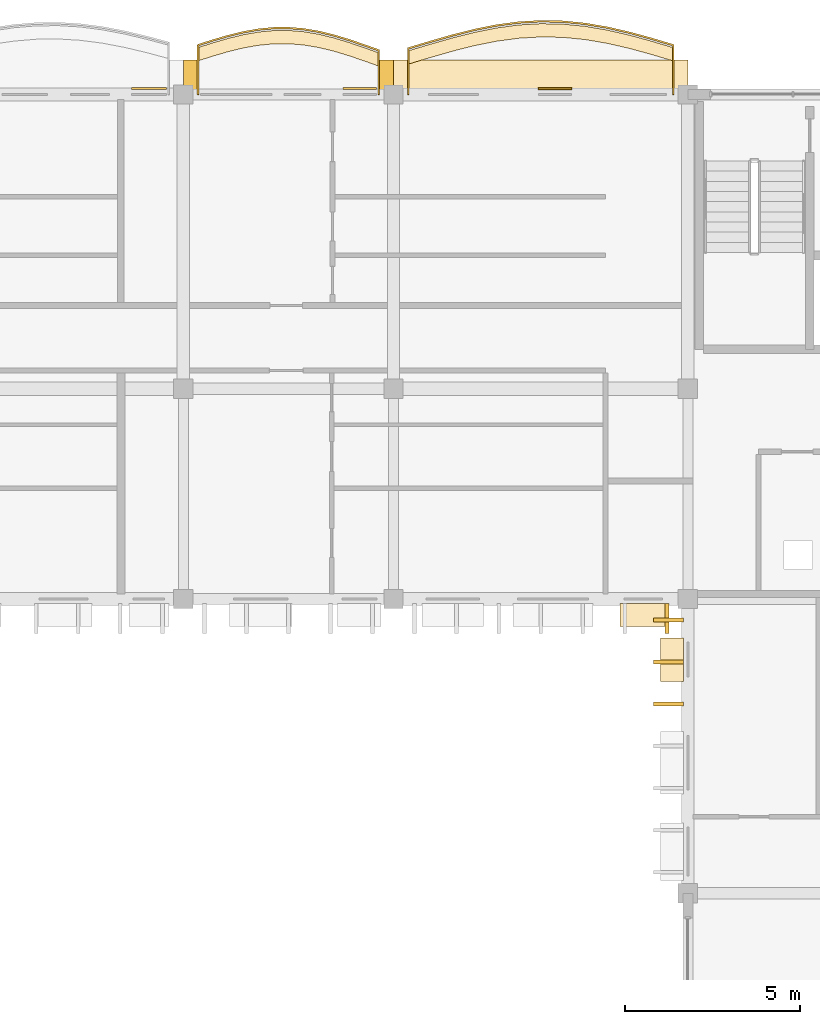
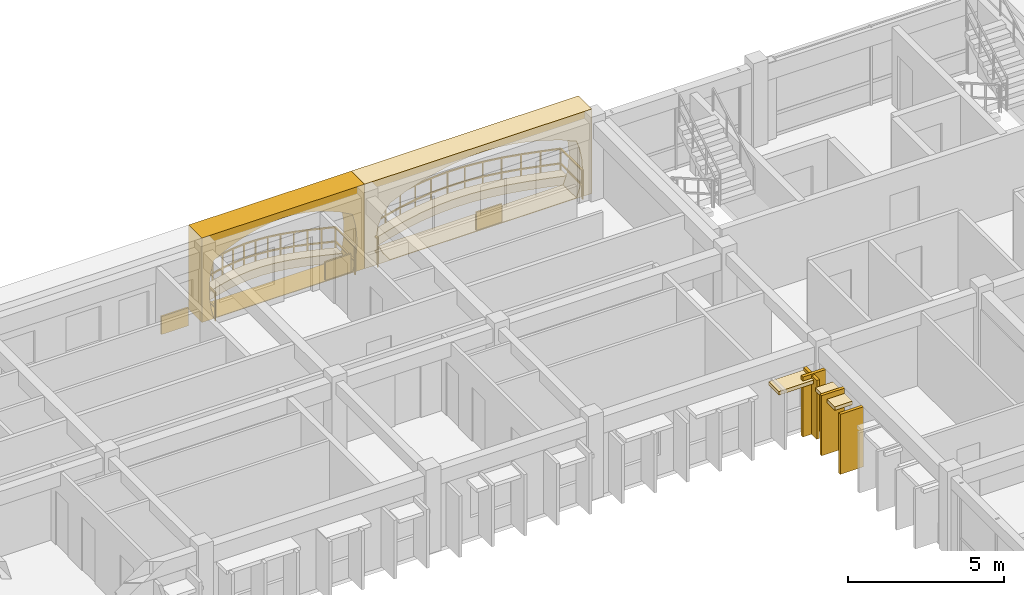
# One storey, part 67 of 68: 13 coverings, 2 railings.
"""IFC4 building model written with IfcOpenShell, lengths in metres."""

from ifc_helpers import new_model, si_unit, direction, frame, origin, origin_2d, place, context, subcontext, project, spatial, polyline, rectangle, outline, extrude, material, layer, layer_set, type_object, element, save


model = new_model("IFC4")

# Units and contexts
model_context = context("Model", 3, precision=1e-05, world=origin(), true_north=direction((0.0, 1.0)))
body_context = subcontext(model_context, "Body", "Model", "MODEL_VIEW")
ifc_project = project(units=[si_unit("LENGTHUNIT", "METRE"), si_unit("AREAUNIT", "SQUARE_METRE"), si_unit("VOLUMEUNIT", "CUBIC_METRE"), si_unit("PLANEANGLEUNIT", "RADIAN"), si_unit("MASSUNIT", "GRAM", prefix="KILO"), si_unit("THERMODYNAMICTEMPERATUREUNIT", "KELVIN")], contexts=[model_context])

# Site, building, storey
site_placement = place(None, origin())
site = spatial("IfcSite", under=ifc_project, at=site_placement, CompositionType="ELEMENT")
building_placement = place(site_placement, origin())
building = spatial("IfcBuilding", under=site, at=building_placement, Name="Thalorik Housing Commons", CompositionType="ELEMENT")
storey_placement = place(building_placement, frame((0.0, 0.0, 24.60009765625)))
storey = spatial("IfcBuildingStorey", under=building, at=storey_placement, Name="L07", CompositionType="ELEMENT", Elevation=24.60009765625)

# Coverings
ifc_material_1 = material(Name="Cobalt blue glazed ceramic facade tile panel", Category="masonry")
ifc_layer_1 = layer(ifc_material_1, 0.06005859375, Name="Cobalt blue glazed ceramic facade tile panel", Category="masonry")
ifc_layer_set_1 = layer_set([ifc_layer_1], Name="Cobalt blue glazed ceramic facade tile panel")
covering_type_1 = type_object("IfcCoveringType", Name="ARC-CLD-BLU-60", PredefinedType="CLADDING", material=ifc_layer_set_1)
covering_1_placement = place(storey_placement, frame((143.0341796875, 123.764892578125, 0.0498046875), z_axis=(0.0, 0.0, 1.0), x_axis=(-1.0, 0.0, 0.0)))
element("IfcCovering", 1, at=covering_1_placement, inside=storey, type_object=covering_type_1, Name="L07 De Stijl Recessed Window Spandrel 2562", PredefinedType="CLADDING", context=body_context, shape_type="SweptSolid", body=[
    extrude(rectangle(XDim=0.949951171875, YDim=0.06005859375, at=origin_2d()), origin(), (0.0, 0.0, 1.0), 0.699951171875),
])
ifc_material_2 = material(Name="Precast concrete C40/50", Category="concrete")
ifc_layer_2 = layer(ifc_material_2, 0.85009765625, Name="Precast concrete C40/50", Category="concrete")
ifc_layer_set_2 = layer_set([ifc_layer_2], Name="Precast concrete C40/50")
covering_type_2 = type_object("IfcCoveringType", Name="ARC-CLD-CUSH-850", PredefinedType="CLADDING", material=ifc_layer_set_2)
covering_2_placement = place(storey_placement, frame((148.199951171875, 124.155029296875, 0.0), z_axis=(0.0, 0.0, 1.0), x_axis=(-1.0, 0.0, 0.0)))
element("IfcCovering", 2, at=covering_2_placement, inside=storey, type_object=covering_type_2, Name="L07 White Precast Curved Cushion Bay Frame 2559", PredefinedType="CLADDING", context=body_context, shape_type="SweptSolid", body=[
    extrude(outline(polyline([(-4.199951171875, 0.0), (4.199951171875, 0.0), (4.199951171875, 3.300048828125), (-4.199951171875, 3.300048828125), (-4.199951171875, 0.0)]), holes=[polyline([(3.25, 0.02490234375), (3.52783203125, 0.394287109375), (3.6943359375, 0.76318359375), (3.75, 1.132568359375), (3.6943359375, 1.501708984375), (3.52783203125, 1.870849609375), (3.25, 2.239990234375), (2.6767578125, 2.4833984375), (2.103271484375, 2.6748046875), (1.530029296875, 2.82958984375), (0.956787109375, 2.94482421875), (0.38330078125, 3.01611328125), (-0.18994140625, 3.0400390625), (-0.76318359375, 3.01611328125), (-1.336669921875, 2.94482421875), (-1.909912109375, 2.82958984375), (-2.4833984375, 2.6748046875), (-3.056640625, 2.4833984375), (-3.6298828125, 2.239990234375), (-3.750244140625, 1.870849609375), (-3.822509765625, 1.501708984375), (-3.8466796875, 1.132568359375), (-3.822509765625, 0.76318359375), (-3.750244140625, 0.394287109375), (-3.6298828125, 0.02490234375), (3.25, 0.02490234375)])]), frame((0.0, 0.425048828125, 0.0), z_axis=(0.0, -1.0, 0.0), x_axis=(1.0, 0.0, 0.0)), (0.0, 0.0, 1.0), 0.85009765625),
])
covering_3_placement = place(storey_placement, frame((141.0, 124.155029296875, 0.0), z_axis=(0.0, 0.0, 1.0), x_axis=(-1.0, 0.0, 0.0)))
element("IfcCovering", 3, at=covering_3_placement, inside=storey, type_object=covering_type_2, Name="L07 White Precast Curved Cushion Bay Frame 2561", PredefinedType="CLADDING", context=body_context, shape_type="SweptSolid", body=[
    extrude(outline(polyline([(-3.0, 0.0), (3.0, 0.0), (3.0, 3.300048828125), (-3.0, 3.300048828125), (-3.0, 0.0)]), holes=[polyline([(2.560791015625, 0.02490234375), (2.653564453125, 0.40087890625), (2.709228515625, 0.776611328125), (2.727783203125, 1.152587890625), (2.709228515625, 1.5283203125), (2.653564453125, 1.904296875), (2.560791015625, 2.280029296875), (2.134033203125, 2.51123046875), (1.70751953125, 2.693115234375), (1.28076171875, 2.840087890625), (0.85400390625, 2.94970703125), (0.427490234375, 3.01708984375), (0.000732421875, 3.0400390625), (-0.42578125, 3.01708984375), (-0.8525390625, 2.94970703125), (-1.279296875, 2.840087890625), (-1.705810546875, 2.693115234375), (-2.132568359375, 2.51123046875), (-2.55908203125, 2.280029296875), (-2.65234375, 1.904296875), (-2.7080078125, 1.5283203125), (-2.726806640625, 1.152587890625), (-2.7080078125, 0.776611328125), (-2.65234375, 0.40087890625), (-2.55908203125, 0.02490234375), (2.560791015625, 0.02490234375)])]), frame((0.0, 0.425048828125, 0.0), z_axis=(0.0, -1.0, 0.0), x_axis=(1.0, 0.0, 0.0)), (0.0, 0.0, 1.0), 0.85009765625),
])
ifc_layer_3 = layer(ifc_material_2, 0.85009765625, Name="Precast concrete C40/50", Category="concrete")
ifc_layer_set_3 = layer_set([ifc_layer_3], Name="Precast concrete C40/50")
covering_type_3 = type_object("IfcCoveringType", Name="ARC-CLD-FIN-850", PredefinedType="CLADDING", material=ifc_layer_set_3)
covering_4_placement = place(storey_placement, frame((151.800048828125, 108.64501953125, 0.0400390625), z_axis=(0.0, 0.0, 1.0), x_axis=(1.0, 0.0, 0.0)))
element("IfcCovering", 4, at=covering_4_placement, inside=storey, type_object=covering_type_3, Name="L07 Courtyard Precast Vertical Brise-Soleil Fin 2658", PredefinedType="CLADDING", context=body_context, shape_type="SweptSolid", body=[
    extrude(rectangle(XDim=0.110107421875, YDim=0.85009765625, at=origin_2d()), origin(), (0.0, 0.0, 1.0), 2.294921875),
])
for number, where, z_axis, x_axis, name in (
    (5, (151.844970703125, 108.60009765625, 0.0400390625), (0.0, 0.0, 1.0), (0.0, -1.0, 0.0), "L07 Courtyard Precast Vertical Brise-Soleil Fin 2662"),
    (6, (151.844970703125, 107.39990234375, 0.0400390625), (0.0, 0.0, 1.0), (0.0, -1.0, 0.0), "L07 Courtyard Precast Vertical Brise-Soleil Fin 2663"),
    (7, (151.844970703125, 106.199951171875, 0.0400390625), (0.0, 0.0, 1.0), (0.0, -1.0, 0.0), "L07 Courtyard Precast Vertical Brise-Soleil Fin 2664"),
):
    element("IfcCovering", number, at=place(storey_placement, frame(where, z_axis=z_axis, x_axis=x_axis)), inside=storey, type_object=covering_type_3, Name=name, PredefinedType="CLADDING", context=body_context, shape_type="SweptSolid", body=[
        extrude(rectangle(XDim=0.110107421875, YDim=0.85009765625, at=origin_2d()), origin(), (0.0, 0.0, 1.0), 2.344970703125),
    ])
ifc_layer_4 = layer(ifc_material_2, 0.64990234375, Name="Precast concrete C40/50", Category="concrete")
ifc_layer_set_4 = layer_set([ifc_layer_4], Name="Precast concrete C40/50")
covering_type_4 = type_object("IfcCoveringType", Name="ARC-CLD-HOOD-650", PredefinedType="CLADDING", material=ifc_layer_set_4)
covering_5_placement = place(storey_placement, frame((151.1298828125, 108.7451171875, 2.08984375), z_axis=(0.0, 0.0, 1.0), x_axis=(1.0, 0.0, 0.0)))
element("IfcCovering", 8, at=covering_5_placement, inside=storey, type_object=covering_type_4, Name="L07 Courtyard Precast Window Sun-Hood 2661", PredefinedType="CLADDING", context=body_context, shape_type="SweptSolid", body=[
    extrude(rectangle(XDim=1.340087890625, YDim=0.64990234375, at=origin_2d()), origin(), (0.0, 0.0, 1.0), 0.139892578125),
])
covering_6_placement = place(storey_placement, frame((151.945068359375, 107.46875, 2.0400390625), z_axis=(0.0, 0.0, 1.0), x_axis=(0.0, -1.0, 0.0)))
element("IfcCovering", 9, at=covering_6_placement, inside=storey, type_object=covering_type_4, Name="L07 Courtyard Precast Window Sun-Hood 2669", PredefinedType="CLADDING", context=body_context, shape_type="SweptSolid", body=[
    extrude(rectangle(XDim=1.239990234375, YDim=0.64990234375, at=origin_2d()), origin(), (0.0, 0.0, 1.0), 0.139892578125),
])
ifc_material_3 = material(Name="Terracotta red mineral fibre-cement panel", Category="masonry")
ifc_layer_5 = layer(ifc_material_3, 0.054931640625, Name="Terracotta red mineral fibre-cement panel", Category="masonry")
ifc_layer_set_5 = layer_set([ifc_layer_5], Name="Terracotta red mineral fibre-cement panel")
covering_type_5 = type_object("IfcCoveringType", Name="ARC-CLD-RED-55", PredefinedType="CLADDING", material=ifc_layer_set_5)
covering_7_placement = place(storey_placement, frame((148.610107421875, 123.762451171875, 0.0498046875), z_axis=(0.0, 0.0, 1.0), x_axis=(-1.0, 0.0, 0.0)))
element("IfcCovering", 10, at=covering_7_placement, inside=storey, type_object=covering_type_5, Name="L07 De Stijl Recessed Window Spandrel 2560", PredefinedType="CLADDING", context=body_context, shape_type="SweptSolid", body=[
    extrude(rectangle(XDim=0.949951171875, YDim=0.054931640625, at=origin_2d()), origin(), (0.0, 0.0, 1.0), 0.699951171875),
])
ifc_material_4 = material(Name="Mineral ochre architectural terracotta panel", Category="masonry")
ifc_layer_6 = layer(ifc_material_4, 0.06494140625, Name="Mineral ochre architectural terracotta panel", Category="masonry")
ifc_layer_set_6 = layer_set([ifc_layer_6], Name="Mineral ochre architectural terracotta panel")
covering_type_6 = type_object("IfcCoveringType", Name="ARC-CLD-YEL-65", PredefinedType="CLADDING", material=ifc_layer_set_6)
covering_8_placement = place(storey_placement, frame((137.014892578125, 123.767578125, 0.0498046875), z_axis=(0.0, 0.0, 1.0), x_axis=(-1.0, 0.0, 0.0)))
element("IfcCovering", 11, at=covering_8_placement, inside=storey, type_object=covering_type_6, Name="L07 De Stijl Recessed Window Spandrel 2564", PredefinedType="CLADDING", context=body_context, shape_type="SweptSolid", body=[
    extrude(rectangle(XDim=1.0, YDim=0.06494140625, at=origin_2d()), origin(), (0.0, 0.0, 1.0), 0.699951171875),
])
ifc_material_5 = material(Name="Planted vegetated substrate and terracotta trough", Category="masonry")
ifc_layer_7 = layer(ifc_material_5, 0.340087890625, Name="Planted vegetated substrate and terracotta trough", Category="masonry")
ifc_layer_set_7 = layer_set([ifc_layer_7], Name="Planted vegetated substrate and terracotta trough")
covering_type_7 = type_object("IfcCoveringType", Name="ARC-COV-PLANTER", PredefinedType="USERDEFINED", material=ifc_layer_set_7)
covering_9_placement = place(storey_placement, origin())
element("IfcCovering", 12, at=covering_9_placement, inside=storey, type_object=covering_type_7, Name="L07 Balcony Slab-Edge Planted Trough 5510", ObjectType="PLANTER", PredefinedType="USERDEFINED", context=body_context, shape_type="SweptSolid", body=[
    extrude(outline(polyline([(143.580078125, 124.786865234375), (143.14990234375, 124.939697265625), (142.719970703125, 125.086181640625), (142.2900390625, 125.2158203125), (141.860107421875, 125.31982421875), (141.429931640625, 125.391845703125), (141.0, 125.427001953125), (140.570068359375, 125.423095703125), (140.139892578125, 125.381591796875), (139.7099609375, 125.305419921875), (139.280029296875, 125.20068359375), (138.85009765625, 125.075439453125), (138.419921875, 124.938720703125), (138.419921875, 124.55859375), (138.85009765625, 124.695556640625), (139.280029296875, 124.82080078125), (139.7099609375, 124.925537109375), (140.139892578125, 125.001708984375), (140.570068359375, 125.043212890625), (141.0, 125.046875), (141.429931640625, 125.01171875), (141.860107421875, 124.93994140625), (142.2900390625, 124.835693359375), (142.719970703125, 124.7060546875), (143.14990234375, 124.559814453125), (143.580078125, 124.40673828125), (143.580078125, 124.786865234375)])), origin(), (0.0, 0.0, 1.0), 0.33984375),
])
covering_10_placement = place(storey_placement, origin())
element("IfcCovering", 13, at=covering_10_placement, inside=storey, type_object=covering_type_7, Name="L07 Balcony Slab-Edge Planted Trough 5511", ObjectType="PLANTER", PredefinedType="USERDEFINED", context=body_context, shape_type="SweptSolid", body=[
    extrude(outline(polyline([(151.97998046875, 124.935791015625), (151.35009765625, 125.12353515625), (150.719970703125, 125.29541015625), (150.090087890625, 125.439697265625), (149.4599609375, 125.54638671875), (148.830078125, 125.6083984375), (148.199951171875, 125.620849609375), (147.570068359375, 125.58349609375), (146.93994140625, 125.4990234375), (146.31005859375, 125.372802734375), (145.679931640625, 125.21435546875), (145.050048828125, 125.0341796875), (144.419921875, 124.844970703125), (144.419921875, 124.465087890625), (145.050048828125, 124.654296875), (145.679931640625, 124.834228515625), (146.31005859375, 124.992919921875), (146.93994140625, 125.118896484375), (147.570068359375, 125.20361328125), (148.199951171875, 125.240966796875), (148.830078125, 125.228271484375), (149.4599609375, 125.16650390625), (150.090087890625, 125.059814453125), (150.719970703125, 124.91552734375), (151.35009765625, 124.743408203125), (151.97998046875, 124.555908203125), (151.97998046875, 124.935791015625)])), origin(), (0.0, 0.0, 1.0), 0.33984375),
])

# Railings
ifc_material_6 = material(Name="Steel S355", Category="steel")
railing_type_1 = type_object("IfcRailingType", Name="ARC-RL-BAL-112", PredefinedType="BALUSTRADE", material=ifc_material_6)
railing_1_placement = place(storey_placement, frame((143.580078125, 123.60009765625, 0.0)))
element("IfcRailing", 14, at=railing_1_placement, inside=storey, type_object=railing_type_1, Name="L07 Cushion Balcony Guardrail 194", PredefinedType="BALUSTRADE", context=body_context, shape_type="SweptSolid", body=[
    extrude(rectangle(XDim=0.050048828125, YDim=0.050048828125, at=origin_2d()), frame((0.0, 0.0, 1.09521484375), z_axis=(0.0, 1.0, 0.0), x_axis=(-1.0, 0.0, 0.0)), (0.0, 0.0, 1.0), 1.256591796875),
    extrude(rectangle(XDim=0.050048828125, YDim=0.050048828125, at=origin_2d()), frame((0.0, 0.0, 0.53515625), z_axis=(0.0, 1.0, 0.0), x_axis=(-1.0, 0.0, 0.0)), (0.0, 0.0, 1.0), 1.256591796875),
    extrude(rectangle(XDim=0.050048828125, YDim=0.050048828125, at=origin_2d()), frame((0.0, 1.256591796875, 1.09521484375), z_axis=(-0.942128395613, 0.335252272446, 0.0), x_axis=(-0.335252272446, -0.942128395613, 0.0)), (0.0, 0.0, 1.0), 0.45654296875),
    extrude(rectangle(XDim=0.050048828125, YDim=0.050048828125, at=origin_2d()), frame((0.0, 1.256591796875, 0.53515625), z_axis=(-0.942128395613, 0.335252272446, 0.0), x_axis=(-0.335252272446, -0.942128395613, 0.0)), (0.0, 0.0, 1.0), 0.45654296875),
    extrude(rectangle(XDim=0.050048828125, YDim=0.050048828125, at=origin_2d()), frame((-0.43017578125, 1.40966796875, 1.09521484375), z_axis=(-0.94673013643, 0.322028024828, 0.0), x_axis=(-0.322028024828, -0.94673013643, 0.0)), (0.0, 0.0, 1.0), 0.4541015625),
    extrude(rectangle(XDim=0.050048828125, YDim=0.050048828125, at=origin_2d()), frame((-0.43017578125, 1.40966796875, 0.53515625), z_axis=(-0.94673013643, 0.322028024828, 0.0), x_axis=(-0.322028024828, -0.94673013643, 0.0)), (0.0, 0.0, 1.0), 0.4541015625),
    extrude(rectangle(XDim=0.050048828125, YDim=0.050048828125, at=origin_2d()), frame((-0.860107421875, 1.555908203125, 1.09521484375), z_axis=(-0.957421319012, 0.28869433299, 0.0), x_axis=(-0.28869433299, -0.957421319012, 0.0)), (0.0, 0.0, 1.0), 0.448974609375),
    extrude(rectangle(XDim=0.050048828125, YDim=0.050048828125, at=origin_2d()), frame((-0.860107421875, 1.555908203125, 0.53515625), z_axis=(-0.957421319012, 0.28869433299, 0.0), x_axis=(-0.28869433299, -0.957421319012, 0.0)), (0.0, 0.0, 1.0), 0.448974609375),
    extrude(rectangle(XDim=0.050048828125, YDim=0.050048828125, at=origin_2d()), frame((-1.2900390625, 1.685546875, 1.09521484375), z_axis=(-0.971838617266, 0.235647410319, 0.0), x_axis=(-0.235647410319, -0.971838617266, 0.0)), (0.0, 0.0, 1.0), 0.4423828125),
    extrude(rectangle(XDim=0.050048828125, YDim=0.050048828125, at=origin_2d()), frame((-1.2900390625, 1.685546875, 0.53515625), z_axis=(-0.971838617266, 0.235647410319, 0.0), x_axis=(-0.235647410319, -0.971838617266, 0.0)), (0.0, 0.0, 1.0), 0.4423828125),
    extrude(rectangle(XDim=0.050048828125, YDim=0.050048828125, at=origin_2d()), frame((-1.719970703125, 1.789794921875, 1.09521484375), z_axis=(-0.986272630359, 0.165125099862, 0.0), x_axis=(-0.165125099862, -0.986272630359, 0.0)), (0.0, 0.0, 1.0), 0.436279296875),
    extrude(rectangle(XDim=0.050048828125, YDim=0.050048828125, at=origin_2d()), frame((-1.719970703125, 1.789794921875, 0.53515625), z_axis=(-0.986272630359, 0.165125099862, 0.0), x_axis=(-0.165125099862, -0.986272630359, 0.0)), (0.0, 0.0, 1.0), 0.436279296875),
    extrude(rectangle(XDim=0.050048828125, YDim=0.050048828125, at=origin_2d()), frame((-2.150146484375, 1.86181640625, 1.09521484375), z_axis=(-0.996719183002, 0.080937446433, 0.0), x_axis=(-0.080937446433, -0.996719183002, 0.0)), (0.0, 0.0, 1.0), 0.431396484375),
    extrude(rectangle(XDim=0.050048828125, YDim=0.050048828125, at=origin_2d()), frame((-2.150146484375, 1.86181640625, 0.53515625), z_axis=(-0.996719183002, 0.080937446433, 0.0), x_axis=(-0.080937446433, -0.996719183002, 0.0)), (0.0, 0.0, 1.0), 0.431396484375),
    extrude(rectangle(XDim=0.050048828125, YDim=0.050048828125, at=origin_2d()), frame((-2.580078125, 1.896728515625, 1.09521484375), z_axis=(-0.99996372477, -0.008517578576, 0.0), x_axis=(0.008517578576, -0.99996372477, 0.0)), (0.0, 0.0, 1.0), 0.429931640625),
    extrude(rectangle(XDim=0.050048828125, YDim=0.050048828125, at=origin_2d()), frame((-2.580078125, 1.896728515625, 0.53515625), z_axis=(-0.99996372477, -0.008517578576, 0.0), x_axis=(0.008517578576, -0.99996372477, 0.0)), (0.0, 0.0, 1.0), 0.429931640625),
    extrude(rectangle(XDim=0.050048828125, YDim=0.050048828125, at=origin_2d()), frame((-3.010009765625, 1.89306640625, 1.09521484375), z_axis=(-0.995377926131, -0.09603532772, 0.0), x_axis=(0.09603532772, -0.995377926131, 0.0)), (0.0, 0.0, 1.0), 0.43212890625),
    extrude(rectangle(XDim=0.050048828125, YDim=0.050048828125, at=origin_2d()), frame((-3.010009765625, 1.89306640625, 0.53515625), z_axis=(-0.995377926131, -0.09603532772, 0.0), x_axis=(0.09603532772, -0.995377926131, 0.0)), (0.0, 0.0, 1.0), 0.43212890625),
    extrude(rectangle(XDim=0.050048828125, YDim=0.050048828125, at=origin_2d()), frame((-3.440185546875, 1.8515625, 1.09521484375), z_axis=(-0.984665121198, -0.174455149241, 0.0), x_axis=(0.174455149241, -0.984665121198, 0.0)), (0.0, 0.0, 1.0), 0.4365234375),
    extrude(rectangle(XDim=0.050048828125, YDim=0.050048828125, at=origin_2d()), frame((-3.440185546875, 1.8515625, 0.53515625), z_axis=(-0.984665121198, -0.174455149241, 0.0), x_axis=(0.174455149241, -0.984665121198, 0.0)), (0.0, 0.0, 1.0), 0.4365234375),
    extrude(rectangle(XDim=0.050048828125, YDim=0.050048828125, at=origin_2d()), frame((-3.8701171875, 1.775390625, 1.09521484375), z_axis=(-0.971585356615, -0.236689448034, 0.0), x_axis=(0.236689448034, -0.971585356615, 0.0)), (0.0, 0.0, 1.0), 0.442626953125),
    extrude(rectangle(XDim=0.050048828125, YDim=0.050048828125, at=origin_2d()), frame((-3.8701171875, 1.775390625, 0.53515625), z_axis=(-0.971585356615, -0.236689448034, 0.0), x_axis=(0.236689448034, -0.971585356615, 0.0)), (0.0, 0.0, 1.0), 0.442626953125),
    extrude(rectangle(XDim=0.050048828125, YDim=0.050048828125, at=origin_2d()), frame((-4.300048828125, 1.670654296875, 1.09521484375), z_axis=(-0.960091541697, -0.27968595167, 0.0), x_axis=(0.27968595167, -0.960091541697, 0.0)), (0.0, 0.0, 1.0), 0.44775390625),
    extrude(rectangle(XDim=0.050048828125, YDim=0.050048828125, at=origin_2d()), frame((-4.300048828125, 1.670654296875, 0.53515625), z_axis=(-0.960091541697, -0.27968595167, 0.0), x_axis=(0.27968595167, -0.960091541697, 0.0)), (0.0, 0.0, 1.0), 0.44775390625),
    extrude(rectangle(XDim=0.050048828125, YDim=0.050048828125, at=origin_2d()), frame((-4.72998046875, 1.54541015625, 1.09521484375), z_axis=(-0.95302517705, -0.302891089187, 0.0), x_axis=(0.302891089187, -0.95302517705, 0.0)), (0.0, 0.0, 1.0), 0.451416015625),
    extrude(rectangle(XDim=0.050048828125, YDim=0.050048828125, at=origin_2d()), frame((-4.72998046875, 1.54541015625, 0.53515625), z_axis=(-0.95302517705, -0.302891089187, 0.0), x_axis=(0.302891089187, -0.95302517705, 0.0)), (0.0, 0.0, 1.0), 0.451416015625),
    extrude(rectangle(XDim=0.050048828125, YDim=0.050048828125, at=origin_2d()), frame((-5.16015625, 1.40869140625, 1.09521484375), z_axis=(0.0, -1.0, 0.0), x_axis=(1.0, 0.0, 0.0)), (0.0, 0.0, 1.0), 1.40869140625),
    extrude(rectangle(XDim=0.050048828125, YDim=0.050048828125, at=origin_2d()), frame((-5.16015625, 1.40869140625, 0.53515625), z_axis=(0.0, -1.0, 0.0), x_axis=(1.0, 0.0, 0.0)), (0.0, 0.0, 1.0), 1.40869140625),
    extrude(rectangle(XDim=0.0419921875, YDim=0.0419921875, at=origin_2d()), origin(), (0.0, 0.0, 1.0), 1.070068359375),
    extrude(rectangle(XDim=0.0419921875, YDim=0.0419921875, at=origin_2d()), frame((0.0, 1.256591796875, 0.0)), (0.0, 0.0, 1.0), 1.070068359375),
    extrude(rectangle(XDim=0.0419921875, YDim=0.0419921875, at=origin_2d()), frame((-0.43017578125, 1.40966796875, 0.0)), (0.0, 0.0, 1.0), 1.070068359375),
    extrude(rectangle(XDim=0.0419921875, YDim=0.0419921875, at=origin_2d()), frame((-0.860107421875, 1.555908203125, 0.0)), (0.0, 0.0, 1.0), 1.070068359375),
    extrude(rectangle(XDim=0.0419921875, YDim=0.0419921875, at=origin_2d()), frame((-1.2900390625, 1.685546875, 0.0)), (0.0, 0.0, 1.0), 1.070068359375),
    extrude(rectangle(XDim=0.0419921875, YDim=0.0419921875, at=origin_2d()), frame((-1.719970703125, 1.789794921875, 0.0)), (0.0, 0.0, 1.0), 1.070068359375),
    extrude(rectangle(XDim=0.0419921875, YDim=0.0419921875, at=origin_2d()), frame((-2.150146484375, 1.86181640625, 0.0)), (0.0, 0.0, 1.0), 1.070068359375),
    extrude(rectangle(XDim=0.0419921875, YDim=0.0419921875, at=origin_2d()), frame((-2.580078125, 1.896728515625, 0.0)), (0.0, 0.0, 1.0), 1.070068359375),
    extrude(rectangle(XDim=0.0419921875, YDim=0.0419921875, at=origin_2d()), frame((-3.010009765625, 1.89306640625, 0.0)), (0.0, 0.0, 1.0), 1.070068359375),
    extrude(rectangle(XDim=0.0419921875, YDim=0.0419921875, at=origin_2d()), frame((-3.440185546875, 1.8515625, 0.0)), (0.0, 0.0, 1.0), 1.070068359375),
    extrude(rectangle(XDim=0.0419921875, YDim=0.0419921875, at=origin_2d()), frame((-3.8701171875, 1.775390625, 0.0)), (0.0, 0.0, 1.0), 1.070068359375),
    extrude(rectangle(XDim=0.0419921875, YDim=0.0419921875, at=origin_2d()), frame((-4.300048828125, 1.670654296875, 0.0)), (0.0, 0.0, 1.0), 1.070068359375),
    extrude(rectangle(XDim=0.0419921875, YDim=0.0419921875, at=origin_2d()), frame((-4.72998046875, 1.54541015625, 0.0)), (0.0, 0.0, 1.0), 1.070068359375),
    extrude(rectangle(XDim=0.0419921875, YDim=0.0419921875, at=origin_2d()), frame((-5.16015625, 1.40869140625, 0.0)), (0.0, 0.0, 1.0), 1.070068359375),
    extrude(rectangle(XDim=0.0419921875, YDim=0.0419921875, at=origin_2d()), frame((-5.16015625, 0.0, 0.0)), (0.0, 0.0, 1.0), 1.070068359375),
])
railing_type_2 = type_object("IfcRailingType", Name="ARC-RL-BAL-115", PredefinedType="BALUSTRADE", material=ifc_material_6)
railing_2_placement = place(storey_placement, frame((151.97998046875, 123.60009765625, 0.0)))
element("IfcRailing", 15, at=railing_2_placement, inside=storey, type_object=railing_type_2, Name="L07 Cushion Balcony Guardrail 195", PredefinedType="BALUSTRADE", context=body_context, shape_type="SweptSolid", body=[
    extrude(rectangle(XDim=0.050048828125, YDim=0.050048828125, at=origin_2d()), frame((0.0, 0.0, 1.125), z_axis=(0.0, 1.0, 0.0), x_axis=(-1.0, 0.0, 0.0)), (0.0, 0.0, 1.0), 1.40576171875),
    extrude(rectangle(XDim=0.050048828125, YDim=0.050048828125, at=origin_2d()), frame((0.0, 0.0, 0.5498046875), z_axis=(0.0, 1.0, 0.0), x_axis=(-1.0, 0.0, 0.0)), (0.0, 0.0, 1.0), 1.40576171875),
    extrude(rectangle(XDim=0.050048828125, YDim=0.050048828125, at=origin_2d()), frame((0.0, 1.40576171875, 1.125), z_axis=(-0.958335936708, 0.285643540825, 0.0), x_axis=(-0.285643540825, -0.958335936708, 0.0)), (0.0, 0.0, 1.0), 0.6572265625),
    extrude(rectangle(XDim=0.050048828125, YDim=0.050048828125, at=origin_2d()), frame((0.0, 1.40576171875, 0.5498046875), z_axis=(-0.958335936708, 0.285643540825, 0.0), x_axis=(-0.285643540825, -0.958335936708, 0.0)), (0.0, 0.0, 1.0), 0.6572265625),
    extrude(rectangle(XDim=0.050048828125, YDim=0.050048828125, at=origin_2d()), frame((-0.6298828125, 1.593505859375, 1.125), z_axis=(-0.964755194768, 0.26314903414, 0.0), x_axis=(-0.26314903414, -0.964755194768, 0.0)), (0.0, 0.0, 1.0), 0.653076171875),
    extrude(rectangle(XDim=0.050048828125, YDim=0.050048828125, at=origin_2d()), frame((-0.6298828125, 1.593505859375, 0.5498046875), z_axis=(-0.964755194768, 0.26314903414, 0.0), x_axis=(-0.26314903414, -0.964755194768, 0.0)), (0.0, 0.0, 1.0), 0.653076171875),
    extrude(rectangle(XDim=0.050048828125, YDim=0.050048828125, at=origin_2d()), frame((-1.260009765625, 1.765380859375, 1.125), z_axis=(-0.97475287979, 0.223286415487, 0.0), x_axis=(-0.223286415487, -0.97475287979, 0.0)), (0.0, 0.0, 1.0), 0.646240234375),
    extrude(rectangle(XDim=0.050048828125, YDim=0.050048828125, at=origin_2d()), frame((-1.260009765625, 1.765380859375, 0.5498046875), z_axis=(-0.97475287979, 0.223286415487, 0.0), x_axis=(-0.223286415487, -0.97475287979, 0.0)), (0.0, 0.0, 1.0), 0.646240234375),
    extrude(rectangle(XDim=0.050048828125, YDim=0.050048828125, at=origin_2d()), frame((-1.889892578125, 1.90966796875, 1.125), z_axis=(-0.98596734574, 0.166938291394, 0.0), x_axis=(-0.166938291394, -0.98596734574, 0.0)), (0.0, 0.0, 1.0), 0.63916015625),
    extrude(rectangle(XDim=0.050048828125, YDim=0.050048828125, at=origin_2d()), frame((-1.889892578125, 1.90966796875, 0.5498046875), z_axis=(-0.98596734574, 0.166938291394, 0.0), x_axis=(-0.166938291394, -0.98596734574, 0.0)), (0.0, 0.0, 1.0), 0.63916015625),
    extrude(rectangle(XDim=0.050048828125, YDim=0.050048828125, at=origin_2d()), frame((-2.52001953125, 2.016357421875, 1.125), z_axis=(-0.995226321439, 0.097593898963, 0.0), x_axis=(-0.097593898963, -0.995226321439, 0.0)), (0.0, 0.0, 1.0), 0.6328125),
    extrude(rectangle(XDim=0.050048828125, YDim=0.050048828125, at=origin_2d()), frame((-2.52001953125, 2.016357421875, 0.5498046875), z_axis=(-0.995226321439, 0.097593898963, 0.0), x_axis=(-0.097593898963, -0.995226321439, 0.0)), (0.0, 0.0, 1.0), 0.6328125),
    extrude(rectangle(XDim=0.050048828125, YDim=0.050048828125, at=origin_2d()), frame((-3.14990234375, 2.078125, 1.125), z_axis=(-0.999797106332, 0.020143142011, 0.0), x_axis=(-0.020143142011, -0.999797106332, 0.0)), (0.0, 0.0, 1.0), 0.63037109375),
    extrude(rectangle(XDim=0.050048828125, YDim=0.050048828125, at=origin_2d()), frame((-3.14990234375, 2.078125, 0.5498046875), z_axis=(-0.999797106332, 0.020143142011, 0.0), x_axis=(-0.020143142011, -0.999797106332, 0.0)), (0.0, 0.0, 1.0), 0.63037109375),
    extrude(rectangle(XDim=0.050048828125, YDim=0.050048828125, at=origin_2d()), frame((-3.780029296875, 2.0908203125, 1.125), z_axis=(-0.998246241406, -0.059198323618, 0.0), x_axis=(0.059198323618, -0.998246241406, 0.0)), (0.0, 0.0, 1.0), 0.631103515625),
    extrude(rectangle(XDim=0.050048828125, YDim=0.050048828125, at=origin_2d()), frame((-3.780029296875, 2.0908203125, 0.5498046875), z_axis=(-0.998246241406, -0.059198323618, 0.0), x_axis=(0.059198323618, -0.998246241406, 0.0)), (0.0, 0.0, 1.0), 0.631103515625),
    extrude(rectangle(XDim=0.050048828125, YDim=0.050048828125, at=origin_2d()), frame((-4.409912109375, 2.053466796875, 1.125), z_axis=(-0.99113374372, -0.132867987341, 0.0), x_axis=(0.132867987341, -0.99113374372, 0.0)), (0.0, 0.0, 1.0), 0.6357421875),
    extrude(rectangle(XDim=0.050048828125, YDim=0.050048828125, at=origin_2d()), frame((-4.409912109375, 2.053466796875, 0.5498046875), z_axis=(-0.99113374372, -0.132867987341, 0.0), x_axis=(0.132867987341, -0.99113374372, 0.0)), (0.0, 0.0, 1.0), 0.6357421875),
    extrude(rectangle(XDim=0.050048828125, YDim=0.050048828125, at=origin_2d()), frame((-5.0400390625, 1.968994140625, 1.125), z_axis=(-0.980507522663, -0.196481546208, 0.0), x_axis=(0.196481546208, -0.980507522663, 0.0)), (0.0, 0.0, 1.0), 0.642333984375),
    extrude(rectangle(XDim=0.050048828125, YDim=0.050048828125, at=origin_2d()), frame((-5.0400390625, 1.968994140625, 0.5498046875), z_axis=(-0.980507522663, -0.196481546208, 0.0), x_axis=(0.196481546208, -0.980507522663, 0.0)), (0.0, 0.0, 1.0), 0.642333984375),
    extrude(rectangle(XDim=0.050048828125, YDim=0.050048828125, at=origin_2d()), frame((-5.669921875, 1.8427734375, 1.125), z_axis=(-0.969721129013, -0.244214929817, 0.0), x_axis=(0.244214929817, -0.969721129013, 0.0)), (0.0, 0.0, 1.0), 0.64990234375),
    extrude(rectangle(XDim=0.050048828125, YDim=0.050048828125, at=origin_2d()), frame((-5.669921875, 1.8427734375, 0.5498046875), z_axis=(-0.969721129013, -0.244214929817, 0.0), x_axis=(0.244214929817, -0.969721129013, 0.0)), (0.0, 0.0, 1.0), 0.64990234375),
    extrude(rectangle(XDim=0.050048828125, YDim=0.050048828125, at=origin_2d()), frame((-6.300048828125, 1.68408203125, 1.125), z_axis=(-0.961538010122, -0.274671904442, 0.0), x_axis=(0.274671904442, -0.961538010122, 0.0)), (0.0, 0.0, 1.0), 0.655029296875),
    extrude(rectangle(XDim=0.050048828125, YDim=0.050048828125, at=origin_2d()), frame((-6.300048828125, 1.68408203125, 0.5498046875), z_axis=(-0.961538010122, -0.274671904442, 0.0), x_axis=(0.274671904442, -0.961538010122, 0.0)), (0.0, 0.0, 1.0), 0.655029296875),
    extrude(rectangle(XDim=0.050048828125, YDim=0.050048828125, at=origin_2d()), frame((-6.929931640625, 1.504150390625, 1.125), z_axis=(-0.957754763301, -0.287586184254, 0.0), x_axis=(0.287586184254, -0.957754763301, 0.0)), (0.0, 0.0, 1.0), 0.657958984375),
    extrude(rectangle(XDim=0.050048828125, YDim=0.050048828125, at=origin_2d()), frame((-6.929931640625, 1.504150390625, 0.5498046875), z_axis=(-0.957754763301, -0.287586184254, 0.0), x_axis=(0.287586184254, -0.957754763301, 0.0)), (0.0, 0.0, 1.0), 0.657958984375),
    extrude(rectangle(XDim=0.050048828125, YDim=0.050048828125, at=origin_2d()), frame((-7.56005859375, 1.31494140625, 1.125), z_axis=(0.0, -1.0, 0.0), x_axis=(1.0, 0.0, 0.0)), (0.0, 0.0, 1.0), 1.31494140625),
    extrude(rectangle(XDim=0.050048828125, YDim=0.050048828125, at=origin_2d()), frame((-7.56005859375, 1.31494140625, 0.5498046875), z_axis=(0.0, -1.0, 0.0), x_axis=(1.0, 0.0, 0.0)), (0.0, 0.0, 1.0), 1.31494140625),
    extrude(rectangle(XDim=0.0419921875, YDim=0.0419921875, at=origin_2d()), origin(), (0.0, 0.0, 1.0), 1.099853515625),
    extrude(rectangle(XDim=0.0419921875, YDim=0.0419921875, at=origin_2d()), frame((0.0, 1.40576171875, 0.0)), (0.0, 0.0, 1.0), 1.099853515625),
    extrude(rectangle(XDim=0.0419921875, YDim=0.0419921875, at=origin_2d()), frame((-0.6298828125, 1.593505859375, 0.0)), (0.0, 0.0, 1.0), 1.099853515625),
    extrude(rectangle(XDim=0.0419921875, YDim=0.0419921875, at=origin_2d()), frame((-1.260009765625, 1.765380859375, 0.0)), (0.0, 0.0, 1.0), 1.099853515625),
    extrude(rectangle(XDim=0.0419921875, YDim=0.0419921875, at=origin_2d()), frame((-1.889892578125, 1.90966796875, 0.0)), (0.0, 0.0, 1.0), 1.099853515625),
    extrude(rectangle(XDim=0.0419921875, YDim=0.0419921875, at=origin_2d()), frame((-2.52001953125, 2.016357421875, 0.0)), (0.0, 0.0, 1.0), 1.099853515625),
    extrude(rectangle(XDim=0.0419921875, YDim=0.0419921875, at=origin_2d()), frame((-3.14990234375, 2.078125, 0.0)), (0.0, 0.0, 1.0), 1.099853515625),
    extrude(rectangle(XDim=0.0419921875, YDim=0.0419921875, at=origin_2d()), frame((-3.780029296875, 2.0908203125, 0.0)), (0.0, 0.0, 1.0), 1.099853515625),
    extrude(rectangle(XDim=0.0419921875, YDim=0.0419921875, at=origin_2d()), frame((-4.409912109375, 2.053466796875, 0.0)), (0.0, 0.0, 1.0), 1.099853515625),
    extrude(rectangle(XDim=0.0419921875, YDim=0.0419921875, at=origin_2d()), frame((-5.0400390625, 1.968994140625, 0.0)), (0.0, 0.0, 1.0), 1.099853515625),
    extrude(rectangle(XDim=0.0419921875, YDim=0.0419921875, at=origin_2d()), frame((-5.669921875, 1.8427734375, 0.0)), (0.0, 0.0, 1.0), 1.099853515625),
    extrude(rectangle(XDim=0.0419921875, YDim=0.0419921875, at=origin_2d()), frame((-6.300048828125, 1.68408203125, 0.0)), (0.0, 0.0, 1.0), 1.099853515625),
    extrude(rectangle(XDim=0.0419921875, YDim=0.0419921875, at=origin_2d()), frame((-6.929931640625, 1.504150390625, 0.0)), (0.0, 0.0, 1.0), 1.099853515625),
    extrude(rectangle(XDim=0.0419921875, YDim=0.0419921875, at=origin_2d()), frame((-7.56005859375, 1.31494140625, 0.0)), (0.0, 0.0, 1.0), 1.099853515625),
    extrude(rectangle(XDim=0.0419921875, YDim=0.0419921875, at=origin_2d()), frame((-7.56005859375, 0.0, 0.0)), (0.0, 0.0, 1.0), 1.099853515625),
])

save(model, "model.ifc")
